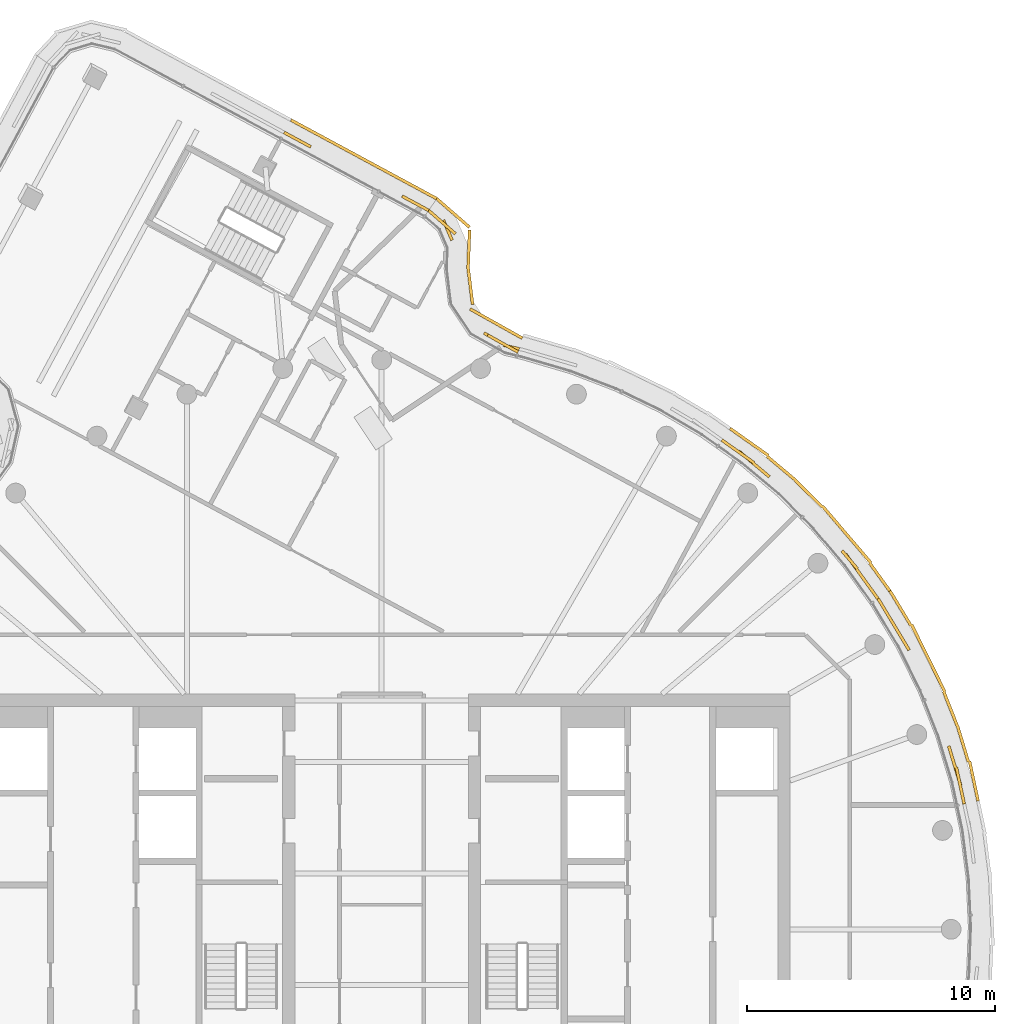
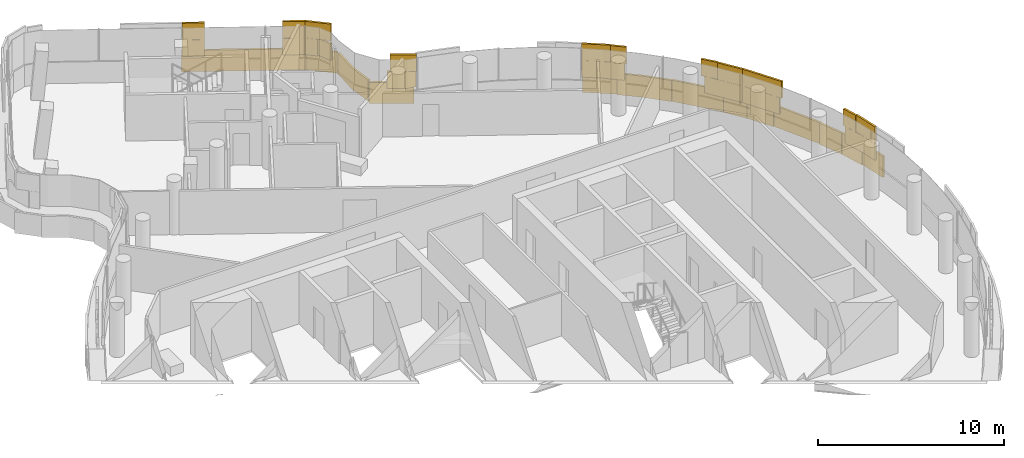
# One storey, part 21 of 22: 4 coverings.
"""IFC4 building model written with IfcOpenShell, lengths in metres."""

from ifc_helpers import new_model, si_unit, direction, frame, origin, origin_2d, place, context, subcontext, project, spatial, rectangle, extrude, material, layer, layer_set, type_object, element, save


model = new_model("IFC4")

# Units and contexts
model_context = context("Model", 3, precision=1e-05, world=origin(), true_north=direction((0.0, 1.0)))
body_context = subcontext(model_context, "Body", "Model", "MODEL_VIEW")
ifc_project = project(units=[si_unit("LENGTHUNIT", "METRE"), si_unit("AREAUNIT", "SQUARE_METRE"), si_unit("VOLUMEUNIT", "CUBIC_METRE"), si_unit("PLANEANGLEUNIT", "RADIAN"), si_unit("MASSUNIT", "GRAM", prefix="KILO")], contexts=[model_context])

# Site, building, storey
site_placement = place(None, origin())
site = spatial("IfcSite", under=ifc_project, at=site_placement, CompositionType="ELEMENT")
building_placement = place(site_placement, origin())
building = spatial("IfcBuilding", under=site, at=building_placement, Name="Tamarind Cross Interchange Tower", CompositionType="ELEMENT")
storey_placement = place(building_placement, frame((0.0, 0.0, 256.800048828125)))
storey = spatial("IfcBuildingStorey", under=building, at=storey_placement, Name="L65", CompositionType="ELEMENT", Elevation=256.800048828125)

# Coverings
ifc_material = material(Name="Terracotta", Category="masonry")
ifc_layer = layer(ifc_material, 0.1201171875)
ifc_layer_set = layer_set([ifc_layer], Name="Terracotta")
covering_type = type_object("IfcCoveringType", Name="Terracotta baguette screen unit", PredefinedType="MOLDING", material=ifc_layer_set)
covering_1_placement = place(storey_placement, origin())
element("IfcCovering", 1, at=covering_1_placement, inside=storey, type_object=covering_type, Name="SCR-L65-01-12", PredefinedType="MOLDING", context=body_context, shape_type="SweptSolid", body=[
    extrude(rectangle(XDim=0.77685546875, YDim=0.1201171875, at=origin_2d()), frame((23.44677734375, 5.4365234375, 1.40380859375), z_axis=(0.0, 0.0, 1.0), x_axis=(-0.209425419705, 0.977824623121, 0.0)), (0.0, 0.0, 1.0), 1.092041015625),
    extrude(rectangle(XDim=1.52001953125, YDim=0.1201171875, at=origin_2d()), frame((23.166015625, 6.53369140625, 1.40380859375), z_axis=(0.0, 0.0, 1.0), x_axis=(-0.289458243079, 0.957190642199, 0.0)), (0.0, 0.0, 1.0), 1.092041015625),
    extrude(rectangle(XDim=1.52001953125, YDim=0.1201171875, at=origin_2d()), frame((20.8388671875, 12.044677734375, 1.40380859375), z_axis=(0.0, 0.0, 1.0), x_axis=(-0.515577308909, 0.856843065292, 0.0)), (0.0, 0.0, 1.0), 1.092041015625),
    extrude(rectangle(XDim=0.78564453125, YDim=0.1201171875, at=origin_2d()), frame((20.252197265625, 13.01953125, 1.40380859375), z_axis=(0.0, 0.0, 1.0), x_axis=(-0.515577308909, 0.856843065292, 0.0)), (0.0, 0.0, 1.0), 1.092041015625),
    extrude(rectangle(XDim=1.52001953125, YDim=0.1201171875, at=origin_2d()), frame((23.366455078125, 5.8115234375, 2.50390625), z_axis=(0.0, 0.0, 1.0), x_axis=(-0.209425419705, 0.977824623121, 0.0)), (0.0, 0.0, 1.0), 1.092041015625),
    extrude(rectangle(XDim=0.914306640625, YDim=0.1201171875, at=origin_2d()), frame((23.03515625, 6.966552734375, 2.50390625), z_axis=(0.0, 0.0, 1.0), x_axis=(-0.289458243079, 0.957190642199, 0.0)), (0.0, 0.0, 1.0), 1.092041015625),
    extrude(rectangle(XDim=0.905517578125, YDim=0.1201171875, at=origin_2d()), frame((21.069580078125, 11.660888671875, 2.50390625), z_axis=(0.0, 0.0, 1.0), x_axis=(-0.515577308909, 0.856843065292, 0.0)), (0.0, 0.0, 1.0), 1.092041015625),
    extrude(rectangle(XDim=1.52001953125, YDim=0.1201171875, at=origin_2d()), frame((20.4521484375, 12.687255859375, 2.50390625), z_axis=(0.0, 0.0, 1.0), x_axis=(-0.515577308909, 0.856843065292, 0.0)), (0.0, 0.0, 1.0), 1.092041015625),
    extrude(rectangle(XDim=0.03564453125, YDim=0.1201171875, at=origin_2d()), frame((20.05224609375, 13.336669921875, 2.50390625), z_axis=(0.0, 0.0, 1.0), x_axis=(-0.584573890505, 0.811340475102, 0.0)), (0.0, 0.0, 1.0), 1.092041015625),
    extrude(rectangle(XDim=0.142822265625, YDim=0.1201171875, at=origin_2d()), frame((24.0732421875, 5.252197265625, 0.00390625), z_axis=(0.0, 0.0, 1.0), x_axis=(-0.209425419705, 0.977824623121, 0.0)), (0.0, 0.0, 1.0), 1.39208984375),
    extrude(rectangle(XDim=1.52001953125, YDim=0.1201171875, at=origin_2d()), frame((23.9033203125, 6.045654296875, 0.00390625), z_axis=(0.0, 0.0, 1.0), x_axis=(-0.209425419705, 0.977824623121, 0.0)), (0.0, 0.0, 1.0), 1.39208984375),
    extrude(rectangle(XDim=1.52001953125, YDim=0.1201171875, at=origin_2d()), frame((23.478271484375, 7.483642578125, 0.00390625), z_axis=(0.0, 0.0, 1.0), x_axis=(-0.289458243079, 0.957190642199, 0.0)), (0.0, 0.0, 1.0), 1.39208984375),
    extrude(rectangle(XDim=1.52001953125, YDim=0.1201171875, at=origin_2d()), frame((22.97802734375, 8.896484375, 0.00390625), z_axis=(0.0, 0.0, 1.0), x_axis=(-0.367513773146, 0.930018078613, 0.0)), (0.0, 0.0, 1.0), 1.39208984375),
    extrude(rectangle(XDim=1.52001953125, YDim=0.1201171875, at=origin_2d()), frame((22.4033203125, 10.281005859375, 0.00390625), z_axis=(0.0, 0.0, 1.0), x_axis=(-0.443058811505, 0.896492548518, 0.0)), (0.0, 0.0, 1.0), 1.39208984375),
    extrude(rectangle(XDim=1.52001953125, YDim=0.1201171875, at=origin_2d()), frame((21.73876953125, 11.625732421875, 0.00390625), z_axis=(0.0, 0.0, 1.0), x_axis=(-0.443058811505, 0.896492548518, 0.0)), (0.0, 0.0, 1.0), 1.39208984375),
    extrude(rectangle(XDim=1.52001953125, YDim=0.1201171875, at=origin_2d()), frame((20.98193359375, 12.920166015625, 0.00390625), z_axis=(0.0, 0.0, 1.0), x_axis=(-0.515577308909, 0.856843065292, 0.0)), (0.0, 0.0, 1.0), 1.39208984375),
    extrude(rectangle(XDim=0.135498046875, YDim=0.1201171875, at=origin_2d()), frame((20.5625, 13.6103515625, 0.00390625), z_axis=(0.0, 0.0, 1.0), x_axis=(-0.584573890505, 0.811340475102, 0.0)), (0.0, 0.0, 1.0), 1.39208984375),
])
covering_2_placement = place(storey_placement, origin())
element("IfcCovering", 2, at=covering_2_placement, inside=storey, type_object=covering_type, Name="SCR-L65-01-13", PredefinedType="MOLDING", context=body_context, shape_type="SweptSolid", body=[
    extrude(rectangle(XDim=0.734375, YDim=0.1201171875, at=origin_2d()), frame((19.8330078125, 13.640869140625, 1.40380859375), z_axis=(0.0, 0.0, 1.0), x_axis=(-0.584573890505, 0.811340475102, 0.0)), (0.0, 0.0, 1.0), 1.092041015625),
    extrude(rectangle(XDim=1.52001953125, YDim=0.1201171875, at=origin_2d()), frame((19.182861328125, 14.543212890625, 1.40380859375), z_axis=(0.0, 0.0, 1.0), x_axis=(-0.584573890505, 0.811340475102, 0.0)), (0.0, 0.0, 1.0), 1.092041015625),
    extrude(rectangle(XDim=1.52001953125, YDim=0.1201171875, at=origin_2d()), frame((15.00439453125, 18.8251953125, 1.40380859375), z_axis=(0.0, 0.0, 1.0), x_axis=(-0.765858396687, 0.643009266048, 0.0)), (0.0, 0.0, 1.0), 1.092041015625),
    extrude(rectangle(XDim=0.8291015625, YDim=0.1201171875, at=origin_2d()), frame((14.0771484375, 19.52001953125, 1.40380859375), z_axis=(0.0, 0.0, 1.0), x_axis=(-0.816341886298, 0.577568978284, 0.0)), (0.0, 0.0, 1.0), 1.092041015625),
    extrude(rectangle(XDim=1.484375, YDim=0.1201171875, at=origin_2d()), frame((19.61376953125, 13.945068359375, 2.50390625), z_axis=(0.0, 0.0, 1.0), x_axis=(-0.584573890505, 0.811340475102, 0.0)), (0.0, 0.0, 1.0), 1.092041015625),
    extrude(rectangle(XDim=0.95751953125, YDim=0.1201171875, at=origin_2d()), frame((18.90185546875, 14.92431640625, 2.50390625), z_axis=(0.0, 0.0, 1.0), x_axis=(-0.64957723968, 0.760295606781, 0.0)), (0.0, 0.0, 1.0), 1.092041015625),
    extrude(rectangle(XDim=0.862548828125, YDim=0.1201171875, at=origin_2d()), frame((15.3310546875, 18.551025390625, 2.50390625), z_axis=(0.0, 0.0, 1.0), x_axis=(-0.765858396687, 0.643009266048, 0.0)), (0.0, 0.0, 1.0), 1.092041015625),
    extrude(rectangle(XDim=1.52001953125, YDim=0.1201171875, at=origin_2d()), frame((14.411376953125, 19.283447265625, 2.50390625), z_axis=(0.0, 0.0, 1.0), x_axis=(-0.816341886298, 0.577568978284, 0.0)), (0.0, 0.0, 1.0), 1.092041015625),
    extrude(rectangle(XDim=0.0791015625, YDim=0.1201171875, at=origin_2d()), frame((13.77099609375, 19.736572265625, 2.50390625), z_axis=(0.0, 0.0, 1.0), x_axis=(-0.816341886298, 0.577568978284, 0.0)), (0.0, 0.0, 1.0), 1.092041015625),
    extrude(rectangle(XDim=1.384521484375, YDim=0.1201171875, at=origin_2d()), frame((20.1181640625, 14.22705078125, 0.00390625), z_axis=(0.0, 0.0, 1.0), x_axis=(-0.584573890505, 0.811340475102, 0.0)), (0.0, 0.0, 1.0), 1.39208984375),
    extrude(rectangle(XDim=1.52001953125, YDim=0.1201171875, at=origin_2d()), frame((19.268310546875, 15.379150390625, 0.00390625), z_axis=(0.0, 0.0, 1.0), x_axis=(-0.64957723968, 0.760295606781, 0.0)), (0.0, 0.0, 1.0), 1.39208984375),
    extrude(rectangle(XDim=1.52001953125, YDim=0.1201171875, at=origin_2d()), frame((18.2939453125, 16.51953125, 0.00390625), z_axis=(0.0, 0.0, 1.0), x_axis=(-0.64957723968, 0.760295606781, 0.0)), (0.0, 0.0, 1.0), 1.39208984375),
    extrude(rectangle(XDim=1.52001953125, YDim=0.1201171875, at=origin_2d()), frame((17.24951171875, 17.5947265625, 0.00390625), z_axis=(0.0, 0.0, 1.0), x_axis=(-0.710143317658, 0.704057148523, 0.0)), (0.0, 0.0, 1.0), 1.39208984375),
    extrude(rectangle(XDim=1.52001953125, YDim=0.1201171875, at=origin_2d()), frame((16.149658203125, 18.613037109375, 0.00390625), z_axis=(0.0, 0.0, 1.0), x_axis=(-0.765858396687, 0.643009266048, 0.0)), (0.0, 0.0, 1.0), 1.39208984375),
    extrude(rectangle(XDim=1.52001953125, YDim=0.1201171875, at=origin_2d()), frame((14.996826171875, 19.572265625, 0.00390625), z_axis=(0.0, 0.0, 1.0), x_axis=(-0.816341886298, 0.577568978284, 0.0)), (0.0, 0.0, 1.0), 1.39208984375),
    extrude(rectangle(XDim=0.39453125, YDim=0.1201171875, at=origin_2d()), frame((14.231689453125, 20.11376953125, 0.00390625), z_axis=(0.0, 0.0, 1.0), x_axis=(-0.816341886298, 0.577568978284, 0.0)), (0.0, 0.0, 1.0), 1.39208984375),
])
covering_3_placement = place(storey_placement, origin())
element("IfcCovering", 3, at=covering_3_placement, inside=storey, type_object=covering_type, Name="SCR-L65-01-15", PredefinedType="MOLDING", context=body_context, shape_type="SweptSolid", body=[
    extrude(rectangle(XDim=0.654541015625, YDim=0.1201171875, at=origin_2d()), frame((5.237060546875, 23.515625, 1.40380859375), z_axis=(0.0, 0.0, 1.0), x_axis=(-0.971012492079, 0.239028743514, 0.0)), (0.0, 0.0, 1.0), 1.092041015625),
    extrude(rectangle(XDim=0.9306640625, YDim=0.1201171875, at=origin_2d()), frame((4.53759765625, 23.855712890625, 1.40380859375), z_axis=(0.0, 0.0, 1.0), x_axis=(-0.872784050518, 0.488106546936, 0.0)), (0.0, 0.0, 1.0), 1.092041015625),
    extrude(rectangle(XDim=0.889404296875, YDim=0.1201171875, at=origin_2d()), frame((2.66748046875, 28.239013671875, 1.40380859375), z_axis=(0.0, 0.0, 1.0), x_axis=(-0.395551408311, 0.918443837903, 0.0)), (0.0, 0.0, 1.0), 1.092041015625),
    extrude(rectangle(XDim=0.695556640625, YDim=0.1201171875, at=origin_2d()), frame((2.1533203125, 28.808349609375, 1.40380859375), z_axis=(0.0, 0.0, 1.0), x_axis=(-0.753130179839, 0.657871516495, 0.0)), (0.0, 0.0, 1.0), 1.092041015625),
    extrude(rectangle(XDim=1.404541015625, YDim=0.1201171875, at=origin_2d()), frame((4.893310546875, 23.656982421875, 2.50390625), z_axis=(0.0, 0.0, 1.0), x_axis=(-0.872784050518, 0.488106546936, 0.0)), (0.0, 0.0, 1.0), 1.092041015625),
    extrude(rectangle(XDim=1.445556640625, YDim=0.1201171875, at=origin_2d()), frame((2.435546875, 28.561767578125, 2.50390625), z_axis=(0.0, 0.0, 1.0), x_axis=(-0.753130179839, 0.657871516495, 0.0)), (0.0, 0.0, 1.0), 1.092041015625),
    extrude(rectangle(XDim=0.914306640625, YDim=0.1201171875, at=origin_2d()), frame((5.27880859375, 24.098876953125, 0.00390625), z_axis=(0.0, 0.0, 1.0), x_axis=(-0.872784050518, 0.488106546936, 0.0)), (0.0, 0.0, 1.0), 1.39208984375),
    extrude(rectangle(XDim=1.52001953125, YDim=0.1201171875, at=origin_2d()), frame((4.23388671875, 24.68310546875, 0.00390625), z_axis=(0.0, 0.0, 1.0), x_axis=(-0.872784050518, 0.488106546936, 0.0)), (0.0, 0.0, 1.0), 1.39208984375),
    extrude(rectangle(XDim=1.52001953125, YDim=0.1201171875, at=origin_2d()), frame((3.57958984375, 25.991455078125, 0.00390625), z_axis=(0.0, 0.0, 1.0), x_axis=(-0.123125983184, 0.992391048058, 0.0)), (0.0, 0.0, 1.0), 1.39208984375),
    extrude(rectangle(XDim=1.52001953125, YDim=0.1201171875, at=origin_2d()), frame((3.521240234375, 27.4853515625, 0.00390625), z_axis=(0.0, 0.0, 1.0), x_axis=(0.03946070964, 0.999221122873, 0.0)), (0.0, 0.0, 1.0), 1.39208984375),
    extrude(rectangle(XDim=1.52001953125, YDim=0.1201171875, at=origin_2d()), frame((2.977294921875, 28.850830078125, 0.00390625), z_axis=(0.0, 0.0, 1.0), x_axis=(-0.753130179839, 0.657871516495, 0.0)), (0.0, 0.0, 1.0), 1.39208984375),
    extrude(rectangle(XDim=0.259765625, YDim=0.1201171875, at=origin_2d()), frame((2.322021484375, 29.423095703125, 0.00390625), z_axis=(0.0, 0.0, 1.0), x_axis=(-0.753130179839, 0.657871516495, 0.0)), (0.0, 0.0, 1.0), 1.39208984375),
])
covering_4_placement = place(storey_placement, origin())
element("IfcCovering", 4, at=covering_4_placement, inside=storey, type_object=covering_type, Name="SCR-L65-02-00", PredefinedType="MOLDING", context=body_context, shape_type="SweptSolid", body=[
    extrude(rectangle(XDim=0.760009765625, YDim=0.1201171875, at=origin_2d()), frame((1.56494140625, 29.212158203125, 1.40380859375), z_axis=(0.0, 0.0, 1.0), x_axis=(-0.880006935002, 0.474960834541, 0.0)), (0.0, 0.0, 1.0), 1.092041015625),
    extrude(rectangle(XDim=0.473388671875, YDim=0.1201171875, at=origin_2d()), frame((1.031005859375, 29.500244140625, 1.40380859375), z_axis=(0.0, 0.0, 1.0), x_axis=(-0.880006935002, 0.474960834541, 0.0)), (0.0, 0.0, 1.0), 1.092041015625),
    extrude(rectangle(XDim=1.21337890625, YDim=0.1201171875, at=origin_2d()), frame((-3.402587890625, 31.893310546875, 1.40380859375), z_axis=(0.0, 0.0, 1.0), x_axis=(-0.880006935002, 0.474960834541, 0.0)), (0.0, 0.0, 1.0), 1.092041015625),
    extrude(rectangle(XDim=1.21337890625, YDim=0.1201171875, at=origin_2d()), frame((1.361083984375, 29.322021484375, 2.50390625), z_axis=(0.0, 0.0, 1.0), x_axis=(-0.880006935002, 0.474960834541, 0.0)), (0.0, 0.0, 1.0), 1.092041015625),
    extrude(rectangle(XDim=0.5966796875, YDim=0.1201171875, at=origin_2d()), frame((-3.126953125, 31.744384765625, 2.50390625), z_axis=(0.0, 0.0, 1.0), x_axis=(-0.880006935002, 0.474960834541, 0.0)), (0.0, 0.0, 1.0), 1.092041015625),
    extrude(rectangle(XDim=0.63671875, YDim=0.1201171875, at=origin_2d()), frame((-3.660888671875, 32.032470703125, 2.50390625), z_axis=(0.0, 0.0, 1.0), x_axis=(-0.880006935002, 0.474960834541, 0.0)), (0.0, 0.0, 1.0), 1.092041015625),
    extrude(rectangle(XDim=0.760009765625, YDim=0.1201171875, at=origin_2d()), frame((1.889892578125, 29.68896484375, 0.00390625), z_axis=(0.0, 0.0, 1.0), x_axis=(-0.880006935002, 0.474960834541, 0.0)), (0.0, 0.0, 1.0), 1.39208984375),
    extrude(rectangle(XDim=1.52001953125, YDim=0.1201171875, at=origin_2d()), frame((0.904296875, 30.220947265625, 0.00390625), z_axis=(0.0, 0.0, 1.0), x_axis=(-0.880006935002, 0.474960834541, 0.0)), (0.0, 0.0, 1.0), 1.39208984375),
    extrude(rectangle(XDim=1.52001953125, YDim=0.1201171875, at=origin_2d()), frame((-0.415771484375, 30.933349609375, 0.00390625), z_axis=(0.0, 0.0, 1.0), x_axis=(-0.880006935002, 0.474960834541, 0.0)), (0.0, 0.0, 1.0), 1.39208984375),
    extrude(rectangle(XDim=1.52001953125, YDim=0.1201171875, at=origin_2d()), frame((-1.73583984375, 31.64599609375, 0.00390625), z_axis=(0.0, 0.0, 1.0), x_axis=(-0.880006935002, 0.474960834541, 0.0)), (0.0, 0.0, 1.0), 1.39208984375),
    extrude(rectangle(XDim=1.45166015625, YDim=0.1201171875, at=origin_2d()), frame((-3.02587890625, 32.342041015625, 0.00390625), z_axis=(0.0, 0.0, 1.0), x_axis=(-0.880006935002, 0.474960834541, 0.0)), (0.0, 0.0, 1.0), 1.39208984375),
])

save(model, "model.ifc")
